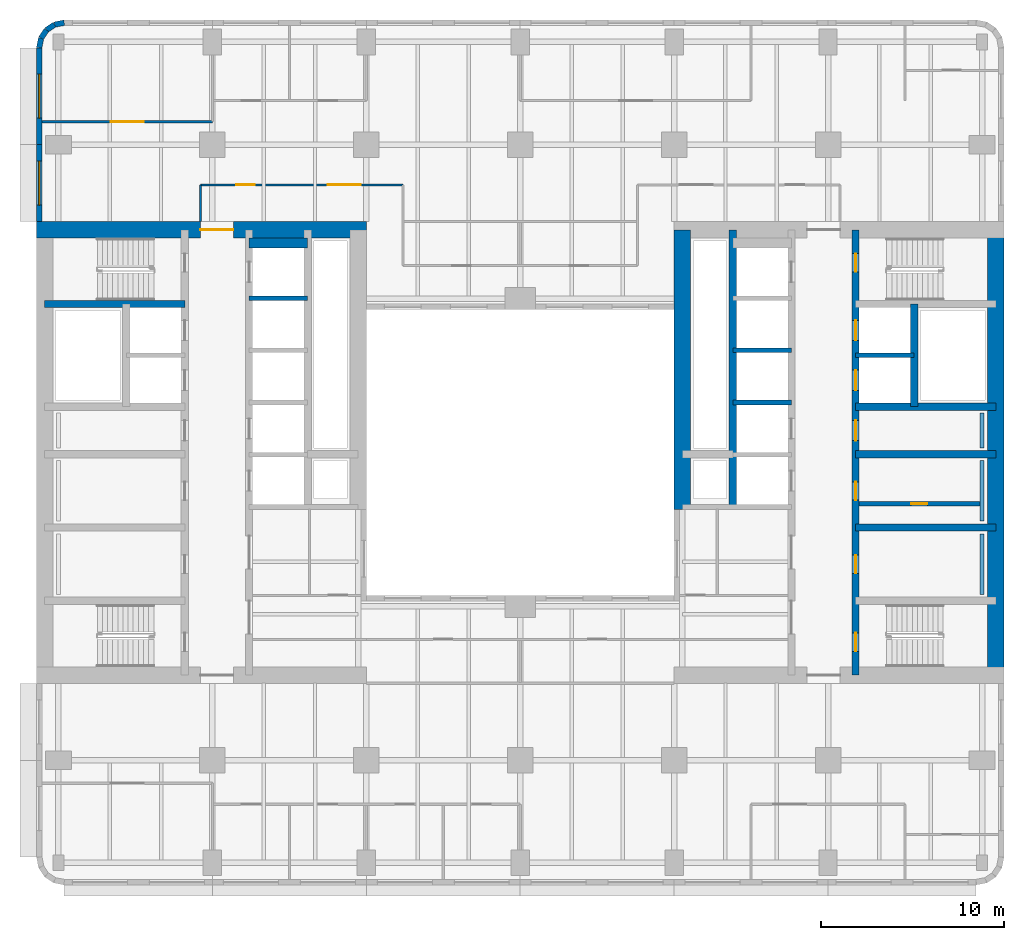
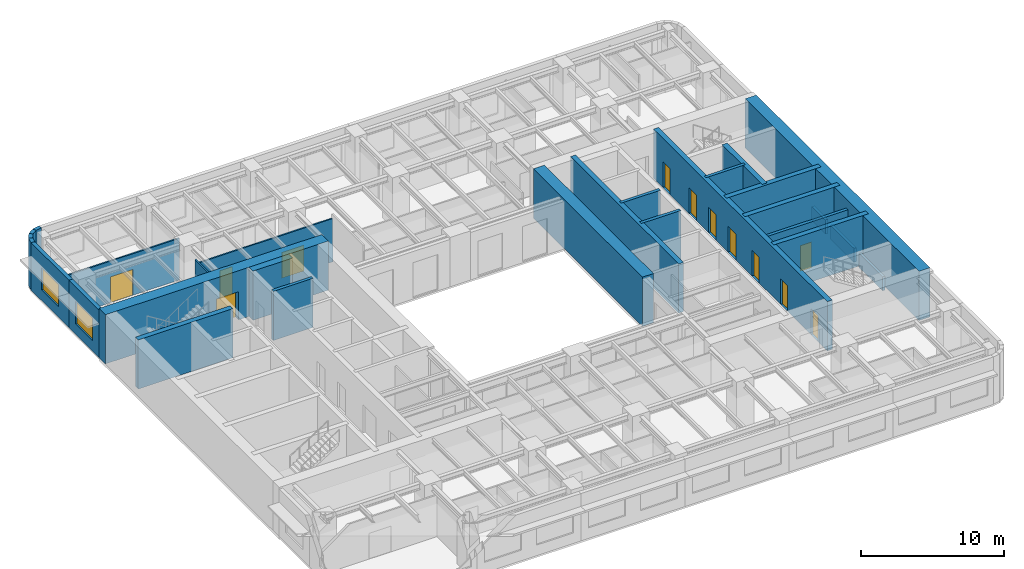
# One storey, part 6 of 11: 28 walls, 12 doors, 2 windows, 14 openings.
"""IFC4 building model written with IfcOpenShell, lengths in metres."""

from ifc_helpers import new_model, si_unit, direction, frame, frame_2d, origin, place, context, subcontext, project, spatial, rectangle, extrude, material, layer, layer_set, type_object, element, fill, save


model = new_model("IFC4")

# Units and contexts
model_context = context("Model", 3, precision=1e-05, world=origin(), true_north=direction((0.0, 1.0)))
body_context = subcontext(model_context, "Body", "Model", "MODEL_VIEW")
ifc_project = project(units=[si_unit("LENGTHUNIT", "METRE"), si_unit("AREAUNIT", "SQUARE_METRE"), si_unit("VOLUMEUNIT", "CUBIC_METRE"), si_unit("PLANEANGLEUNIT", "RADIAN"), si_unit("MASSUNIT", "GRAM", prefix="KILO")], contexts=[model_context])

# Site, building, storey
site_placement = place(None, origin())
site = spatial("IfcSite", under=ifc_project, at=site_placement, CompositionType="ELEMENT")
building_placement = place(site_placement, origin())
building = spatial("IfcBuilding", under=site, at=building_placement, Name="Claustro Exchange Tower", CompositionType="ELEMENT")
storey_placement = place(building_placement, frame((0.0, 0.0, 117.60009765625)))
storey = spatial("IfcBuildingStorey", under=building, at=storey_placement, Name="L26", CompositionType="ELEMENT", Elevation=117.60009765625)

# Wall, opening, door
ifc_material_1 = material(Name="Laminated glass in aluminium frame", Category="aluminium")
ifc_layer_1 = layer(ifc_material_1, 0.1201171875)
ifc_layer_set_1 = layer_set([ifc_layer_1], Name="Laminated glass in aluminium frame")
wall_type_1 = type_object("IfcWallType", Name="P2 120 glazed partition", PredefinedType="PARTITIONING", material=ifc_layer_set_1)
wall_1_placement = place(storey_placement, frame((-0.902099609375, 43.25, 0.0), z_axis=(0.0, 0.0, 1.0), x_axis=(1.0, 0.0, 0.0)))
wall_1 = element("IfcWall", 1, at=wall_1_placement, inside=storey, type_object=wall_type_1, Name="Partition P2 L26", PredefinedType="PARTITIONING", context=body_context, shape_type="SweptSolid", body=[
    extrude(rectangle(XDim=9.302001953125, YDim=0.1201171875, at=frame_2d((4.65087890625, 0.0))), origin(), (0.0, 0.0, 1.0), 3.5498046875),
])
opening_1_placement = place(wall_1_placement, frame((3.751953125, 0.0, 0.0)))
opening_1 = element("IfcOpeningElement", 2, at=opening_1_placement, cuts=wall_1, Name="Opening D2", PredefinedType="OPENING", context=body_context, shape_type="SweptSolid", body=[
    extrude(rectangle(XDim=1.800048828125, YDim=2.199951171875, at=frame_2d((0.89990234375, 1.10009765625))), frame((0.0, 0.070068359375, 0.0), z_axis=(0.0, -1.0, 0.0), x_axis=(1.0, 0.0, 0.0)), (0.0, 0.0, 1.0), 0.14013671875),
])
ifc_material_2 = material(Name="Timber door, oak veneer", Category="wood")
door_type_1 = type_object("IfcDoorType", Name="D2 1800 x 2200 double door", OperationType="DOUBLE_DOOR_SINGLE_SWING", PredefinedType="DOOR", material=ifc_material_2)
door_1_placement = place(opening_1_placement, origin())
door_1 = element("IfcDoor", 3, at=door_1_placement, inside=storey, type_object=door_type_1, Name="Double door D2 L26", OperationType="DOUBLE_DOOR_SINGLE_SWING", OverallHeight=2.199951171875, OverallWidth=1.800048828125, PredefinedType="DOOR", context=body_context, shape_type="SweptSolid", body=[
    extrude(rectangle(XDim=1.800048828125, YDim=2.199951171875, at=frame_2d((0.89990234375, 1.10009765625))), frame((0.0, 0.02490234375, 0.0), z_axis=(0.0, -1.0, 0.0), x_axis=(1.0, 0.0, 0.0)), (0.0, 0.0, 1.0), 0.050048828125),
])
fill(opening_1, door_1)

# Wall, openings, doors
wall_2_placement = place(storey_placement, frame((7.75, 39.800048828125, 0.0), z_axis=(0.0, 0.0, 1.0), x_axis=(1.0, 0.0, 0.0)))
wall_2 = element("IfcWall", 4, at=wall_2_placement, inside=storey, type_object=wall_type_1, Name="Partition P2 L26", PredefinedType="PARTITIONING", context=body_context, shape_type="SweptSolid", body=[
    extrude(rectangle(XDim=11.050048828125, YDim=0.1201171875, at=frame_2d((5.52490234375, 0.0))), origin(), (0.0, 0.0, 1.0), 3.68994140625),
])
opening_2_placement = place(wall_2_placement, frame((1.949951171875, 0.0, 0.0)))
opening_2 = element("IfcOpeningElement", 5, at=opening_2_placement, cuts=wall_2, Name="Opening D7", PredefinedType="OPENING", context=body_context, shape_type="SweptSolid", body=[
    extrude(rectangle(XDim=1.0, YDim=2.39990234375, at=frame_2d((0.5, 1.199951171875))), frame((0.0, 0.070068359375, 0.0), z_axis=(0.0, -1.0, 0.0), x_axis=(1.0, 0.0, 0.0)), (0.0, 0.0, 1.0), 0.14013671875),
])
opening_3_placement = place(wall_2_placement, frame((6.949951171875, 0.0, 0.0)))
opening_3 = element("IfcOpeningElement", 6, at=opening_3_placement, cuts=wall_2, Name="Opening D2", PredefinedType="OPENING", context=body_context, shape_type="SweptSolid", body=[
    extrude(rectangle(XDim=1.800048828125, YDim=2.199951171875, at=frame_2d((0.89990234375, 1.10009765625))), frame((0.0, 0.070068359375, 0.0), z_axis=(0.0, -1.0, 0.0), x_axis=(1.0, 0.0, 0.0)), (0.0, 0.0, 1.0), 0.14013671875),
])
door_2_placement = place(opening_3_placement, origin())
door_2 = element("IfcDoor", 7, at=door_2_placement, inside=storey, type_object=door_type_1, Name="Double door D2 L26", OperationType="DOUBLE_DOOR_SINGLE_SWING", OverallHeight=2.199951171875, OverallWidth=1.800048828125, PredefinedType="DOOR", context=body_context, shape_type="SweptSolid", body=[
    extrude(rectangle(XDim=1.800048828125, YDim=2.199951171875, at=frame_2d((0.89990234375, 1.10009765625))), frame((0.0, 0.02490234375, 0.0), z_axis=(0.0, -1.0, 0.0), x_axis=(1.0, 0.0, 0.0)), (0.0, 0.0, 1.0), 0.050048828125),
])
fill(opening_3, door_2)
ifc_material_3 = material(Name="Glass door in aluminium frame", Category="aluminium")
door_type_2 = type_object("IfcDoorType", Name="D7 1000 x 2400 glazed door", OperationType="SINGLE_SWING_LEFT", PredefinedType="DOOR", material=ifc_material_3)
door_3_placement = place(opening_2_placement, origin())
door_3 = element("IfcDoor", 8, at=door_3_placement, inside=storey, type_object=door_type_2, Name="Door D7 L26", OperationType="SINGLE_SWING_LEFT", OverallHeight=2.39990234375, OverallWidth=1.0, PredefinedType="DOOR", context=body_context, shape_type="SweptSolid", body=[
    extrude(rectangle(XDim=1.0, YDim=2.39990234375, at=frame_2d((0.5, 1.199951171875))), frame((0.0, 0.02490234375, 0.0), z_axis=(0.0, -1.0, 0.0), x_axis=(1.0, 0.0, 0.0)), (0.0, 0.0, 1.0), 0.050048828125),
])
fill(opening_2, door_3)

# Wall
wall_3_placement = place(storey_placement, frame((7.75, 37.800048828125, 0.0), z_axis=(0.0, 0.0, 1.0), x_axis=(0.0, 1.0, 0.0)))
element("IfcWall", 9, at=wall_3_placement, inside=storey, type_object=wall_type_1, Name="Partition P2 L26", PredefinedType="PARTITIONING", context=body_context, shape_type="SweptSolid", body=[
    extrude(rectangle(XDim=2.0, YDim=0.1201171875, at=frame_2d((1.0, 0.0))), origin(), (0.0, 0.0, 1.0), 4.0498046875),
])

# Wall, opening, door
ifc_material_4 = material(Name="Concrete blockwork, rendered", Category="masonry")
ifc_layer_2 = layer(ifc_material_4, 0.25)
ifc_layer_set_2 = layer_set([ifc_layer_2], Name="Concrete blockwork, rendered")
wall_type_2 = type_object("IfcWallType", Name="P4 250 blockwork wall", PredefinedType="PARTITIONING", material=ifc_layer_set_2)
wall_4_placement = place(storey_placement, frame((43.699951171875, 22.39990234375, 0.0), z_axis=(0.0, 0.0, 1.0), x_axis=(1.0, 0.0, 0.0)))
wall_4 = element("IfcWall", 10, at=wall_4_placement, inside=storey, type_object=wall_type_2, Name="Partition P4 L26", PredefinedType="PARTITIONING", context=body_context, shape_type="SweptSolid", body=[
    extrude(rectangle(XDim=6.60009765625, YDim=0.25, at=frame_2d((3.300048828125, 0.0))), origin(), (0.0, 0.0, 1.0), 4.0),
])
opening_4_placement = place(wall_4_placement, frame((2.824951171875, 0.0, 0.0)))
opening_4 = element("IfcOpeningElement", 11, at=opening_4_placement, cuts=wall_4, Name="Opening D5", PredefinedType="OPENING", context=body_context, shape_type="SweptSolid", body=[
    extrude(rectangle(XDim=0.89990234375, YDim=2.199951171875, at=frame_2d((0.449951171875, 1.10009765625))), frame((0.0, 0.135009765625, 0.0), z_axis=(0.0, -1.0, 0.0), x_axis=(1.0, 0.0, 0.0)), (0.0, 0.0, 1.0), 0.27001953125),
])
ifc_material_5 = material(Name="Steel door, painted", Category="steel")
door_type_3 = type_object("IfcDoorType", Name="D5 900 x 2200 store door", OperationType="SINGLE_SWING_LEFT", PredefinedType="DOOR", material=ifc_material_5)
door_4_placement = place(opening_4_placement, frame((0.89990234375, 0.0, 0.0), z_axis=(0.0, 0.0, 1.0), x_axis=(-1.0, 0.0, 0.0)))
door_4 = element("IfcDoor", 12, at=door_4_placement, inside=storey, type_object=door_type_3, Name="Store door D5 L26", OperationType="SINGLE_SWING_LEFT", OverallHeight=2.199951171875, OverallWidth=0.89990234375, PredefinedType="DOOR", context=body_context, shape_type="SweptSolid", body=[
    extrude(rectangle(XDim=0.89990234375, YDim=2.199951171875, at=frame_2d((0.449951171875, 1.10009765625))), frame((0.0, 0.02490234375, 0.0), z_axis=(0.0, -1.0, 0.0), x_axis=(1.0, 0.0, 0.0)), (0.0, 0.0, 1.0), 0.050048828125),
])
fill(opening_4, door_4)

# Wall, opening, window
ifc_material_6 = material(Name="Concrete HA-40 (C40/50), precast, white cement, acid-etched", Category="concrete")
ifc_layer_3 = layer(ifc_material_6, 0.300048828125)
ifc_layer_set_3 = layer_set([ifc_layer_3], Name="Concrete HA-40 (C40/50), precast, white cement, acid-etched")
wall_type_3 = type_object("IfcWallType", Name="PC1 300 precast concrete pier panel", PredefinedType="SOLIDWALL", material=ifc_layer_set_3)
wall_5_placement = place(storey_placement, frame((-1.050048828125, 37.800048828125, 0.0), z_axis=(0.0, 0.0, 1.0), x_axis=(0.0, 1.0, 0.0)))
wall_5 = element("IfcWall", 13, at=wall_5_placement, inside=storey, type_object=wall_type_3, Name="Precast pier panel PC1 L26", PredefinedType="SOLIDWALL", context=body_context, shape_type="SweptSolid", body=[
    extrude(rectangle(XDim=4.199951171875, YDim=0.300048828125, at=frame_2d((2.10009765625, 0.0))), origin(), (0.0, 0.0, 1.0), 4.0498046875),
])
opening_5_placement = place(wall_5_placement, frame((0.89990234375, 0.0, 0.89990234375)))
opening_5 = element("IfcOpeningElement", 14, at=opening_5_placement, cuts=wall_5, Name="Opening W2", PredefinedType="OPENING", context=body_context, shape_type="SweptSolid", body=[
    extrude(rectangle(XDim=2.39990234375, YDim=1.89990234375, at=frame_2d((1.199951171875, 0.949951171875))), frame((0.0, 0.159912109375, 0.0), z_axis=(0.0, -1.0, 0.0), x_axis=(1.0, 0.0, 0.0)), (0.0, 0.0, 1.0), 0.320068359375),
])
ifc_material_7 = material(Name="Aluminium frame, clear double glazing", Category="aluminium")
window_type = type_object("IfcWindowType", Name="W2 2400 x 1900 window", PartitioningType="SINGLE_PANEL", PredefinedType="WINDOW", material=ifc_material_7)
window_1_placement = place(opening_5_placement, origin())
window_1 = element("IfcWindow", 15, at=window_1_placement, inside=storey, type_object=window_type, Name="Window W2 L26", OverallHeight=1.89990234375, OverallWidth=2.39990234375, PartitioningType="SINGLE_PANEL", PredefinedType="WINDOW", context=body_context, shape_type="SweptSolid", body=[
    extrude(rectangle(XDim=2.39990234375, YDim=1.89990234375, at=frame_2d((1.199951171875, 0.949951171875))), frame((0.0, 0.030029296875, 0.0), z_axis=(0.0, -1.0, 0.0), x_axis=(1.0, 0.0, 0.0)), (0.0, 0.0, 1.0), 0.06005859375),
])
fill(opening_5, window_1)

wall_6_placement = place(storey_placement, frame((-1.050048828125, 42.0, 0.0), z_axis=(0.0, 0.0, 1.0), x_axis=(0.0, 1.0, 0.0)))
wall_6 = element("IfcWall", 16, at=wall_6_placement, inside=storey, type_object=wall_type_3, Name="Precast pier panel PC1 L26", PredefinedType="SOLIDWALL", context=body_context, shape_type="SweptSolid", body=[
    extrude(rectangle(XDim=5.28515625, YDim=0.300048828125, at=frame_2d((2.642578125, 0.0))), origin(), (0.0, 0.0, 1.0), 4.0498046875),
])
opening_6_placement = place(wall_6_placement, frame((1.442626953125, 0.0, 0.89990234375)))
opening_6 = element("IfcOpeningElement", 17, at=opening_6_placement, cuts=wall_6, Name="Opening W2", PredefinedType="OPENING", context=body_context, shape_type="SweptSolid", body=[
    extrude(rectangle(XDim=2.39990234375, YDim=1.89990234375, at=frame_2d((1.199951171875, 0.949951171875))), frame((0.0, 0.159912109375, 0.0), z_axis=(0.0, -1.0, 0.0), x_axis=(1.0, 0.0, 0.0)), (0.0, 0.0, 1.0), 0.320068359375),
])
window_2_placement = place(opening_6_placement, origin())
window_2 = element("IfcWindow", 18, at=window_2_placement, inside=storey, type_object=window_type, Name="Window W2 L26", OverallHeight=1.89990234375, OverallWidth=2.39990234375, PartitioningType="SINGLE_PANEL", PredefinedType="WINDOW", context=body_context, shape_type="SweptSolid", body=[
    extrude(rectangle(XDim=2.39990234375, YDim=1.89990234375, at=frame_2d((1.199951171875, 0.949951171875))), frame((0.0, 0.030029296875, 0.0), z_axis=(0.0, -1.0, 0.0), x_axis=(1.0, 0.0, 0.0)), (0.0, 0.0, 1.0), 0.06005859375),
])
fill(opening_6, window_2)

# Walls
wall_7_placement = place(storey_placement, frame((-1.050048828125, 47.28515625, 0.0), z_axis=(0.0, 0.0, 1.0), x_axis=(0.195073962632, 0.980788534345, 0.0)))
element("IfcWall", 19, at=wall_7_placement, inside=storey, type_object=wall_type_3, Name="Precast pier panel PC1 L26", PredefinedType="SOLIDWALL", context=body_context, shape_type="SweptSolid", body=[
    extrude(rectangle(XDim=0.540771484375, YDim=0.300048828125, at=frame_2d((0.2705078125, 0.0))), origin(), (0.0, 0.0, 1.0), 4.0498046875),
])
wall_8_placement = place(storey_placement, frame((-0.944580078125, 47.8154296875, 0.0), z_axis=(0.0, 0.0, 1.0), x_axis=(0.55534295404, 0.831621430339, 0.0)))
element("IfcWall", 20, at=wall_8_placement, inside=storey, type_object=wall_type_3, Name="Precast pier panel PC1 L26", PredefinedType="SOLIDWALL", context=body_context, shape_type="SweptSolid", body=[
    extrude(rectangle(XDim=0.52587890625, YDim=0.300048828125, at=frame_2d((0.262939453125, 0.0))), origin(), (0.0, 0.0, 1.0), 4.0498046875),
])
wall_9_placement = place(storey_placement, frame((-0.652587890625, 48.252685546875, 0.0), z_axis=(0.0, 0.0, 1.0), x_axis=(0.831692711774, 0.555236195849, 0.0)))
element("IfcWall", 21, at=wall_9_placement, inside=storey, type_object=wall_type_3, Name="Precast pier panel PC1 L26", PredefinedType="SOLIDWALL", context=body_context, shape_type="SweptSolid", body=[
    extrude(rectangle(XDim=0.525390625, YDim=0.300048828125, at=frame_2d((0.2626953125, 0.0))), origin(), (0.0, 0.0, 1.0), 4.0498046875),
])
wall_10_placement = place(storey_placement, frame((-0.215576171875, 48.54443359375, 0.0), z_axis=(0.0, 0.0, 1.0), x_axis=(0.980788534345, 0.195073962632, 0.0)))
element("IfcWall", 22, at=wall_10_placement, inside=storey, type_object=wall_type_3, Name="Precast pier panel PC1 L26", PredefinedType="SOLIDWALL", context=body_context, shape_type="SweptSolid", body=[
    extrude(rectangle(XDim=0.540771484375, YDim=0.300048828125, at=frame_2d((0.2705078125, 0.0))), origin(), (0.0, 0.0, 1.0), 4.0498046875),
])
ifc_material_8 = material(Name="Gypsum board on steel studs, tiled", Category="steel")
ifc_layer_4 = layer(ifc_material_8, 0.199951171875)
ifc_layer_set_4 = layer_set([ifc_layer_4], Name="Gypsum board on steel studs, tiled")
wall_type_4 = type_object("IfcWallType", Name="PW1 200 WC duct wall", PredefinedType="PLUMBINGWALL", material=ifc_layer_set_4)
for number, where, z_axis, x_axis, name in (
    (23, (50.39990234375, 17.449951171875, 0.0), (0.0, 0.0, 1.0), (0.0, 1.0, 0.0), "WC duct wall PW1 L26"),
    (24, (50.39990234375, 21.449951171875, 0.0), (0.0, 0.0, 1.0), (0.0, 1.0, 0.0), "WC duct wall PW1 L26"),
):
    element("IfcWall", number, at=place(storey_placement, frame(where, z_axis=z_axis, x_axis=x_axis)), inside=storey, type_object=wall_type_4, Name=name, PredefinedType="PLUMBINGWALL", context=body_context, shape_type="SweptSolid", body=[
        extrude(rectangle(XDim=3.300048828125, YDim=0.199951171875, at=frame_2d((1.64990234375, 0.0))), origin(), (0.0, 0.0, 1.0), 1.199951171875),
    ])
wall_11_placement = place(storey_placement, frame((50.39990234375, 25.449951171875, 0.0), z_axis=(0.0, 0.0, 1.0), x_axis=(0.0, 1.0, 0.0)))
element("IfcWall", 25, at=wall_11_placement, inside=storey, type_object=wall_type_4, Name="WC duct wall PW1 L26", PredefinedType="PLUMBINGWALL", context=body_context, shape_type="SweptSolid", body=[
    extrude(rectangle(XDim=1.900146484375, YDim=0.199951171875, at=frame_2d((0.9501953125, 0.0))), origin(), (0.0, 0.0, 1.0), 1.199951171875),
])

# Wall, opening, door
ifc_material_9 = material(Name="Concrete HA-70 (C70/85)", Category="concrete")
ifc_layer_5 = layer(ifc_material_9, 0.89990234375)
ifc_layer_set_5 = layer_set([ifc_layer_5], Name="Concrete HA-70 (C70/85)")
wall_type_5 = type_object("IfcWallType", Name="SW1 900 core shear wall", PredefinedType="SHEAR", material=ifc_layer_set_5)
wall_12_placement = place(storey_placement, frame((-1.199951171875, 37.35009765625, 0.0), z_axis=(0.0, 0.0, 1.0), x_axis=(1.0, 0.0, 0.0)))
wall_12 = element("IfcWall", 26, at=wall_12_placement, inside=storey, type_object=wall_type_5, Name="Core wall SW1 W core N face L26", PredefinedType="SHEAR", context=body_context, shape_type="SweptSolid", body=[
    extrude(rectangle(XDim=18.0, YDim=0.89990234375, at=frame_2d((9.0, 0.0))), origin(), (0.0, 0.0, 1.0), 4.199951171875),
])
opening_7_placement = place(wall_12_placement, frame((8.949951171875, 0.0, 0.0)))
opening_7 = element("IfcOpeningElement", 27, at=opening_7_placement, cuts=wall_12, Name="Opening D3", PredefinedType="OPENING", context=body_context, shape_type="SweptSolid", body=[
    extrude(rectangle(XDim=1.800048828125, YDim=2.39990234375, at=frame_2d((0.89990234375, 1.199951171875))), frame((0.0, 0.4599609375, 0.0), z_axis=(0.0, -1.0, 0.0), x_axis=(1.0, 0.0, 0.0)), (0.0, 0.0, 1.0), 0.919921875),
])
ifc_material_10 = material(Name="Steel fire door, painted", Category="steel")
door_type_4 = type_object("IfcDoorType", Name="D3 1800 x 2400 fire-rated lobby double door", OperationType="DOUBLE_DOOR_SINGLE_SWING", PredefinedType="DOOR", material=ifc_material_10)
door_5_placement = place(opening_7_placement, frame((1.800048828125, 0.0, 0.0), z_axis=(0.0, 0.0, 1.0), x_axis=(-1.0, 0.0, 0.0)))
door_5 = element("IfcDoor", 28, at=door_5_placement, inside=storey, type_object=door_type_4, Name="Lift lobby door D3 L26", OperationType="DOUBLE_DOOR_SINGLE_SWING", OverallHeight=2.39990234375, OverallWidth=1.800048828125, PredefinedType="DOOR", context=body_context, shape_type="SweptSolid", body=[
    extrude(rectangle(XDim=1.800048828125, YDim=2.39990234375, at=frame_2d((0.89990234375, 1.199951171875))), frame((0.0, 0.02490234375, 0.0), z_axis=(0.0, -1.0, 0.0), x_axis=(1.0, 0.0, 0.0)), (0.0, 0.0, 1.0), 0.050048828125),
])
fill(opening_7, door_5)

# Walls
ifc_material_11 = material(Name="Concrete HA-70 (C70/85)", Category="concrete")
ifc_layer_6 = layer(ifc_material_11, 0.89990234375)
ifc_layer_set_6 = layer_set([ifc_layer_6], Name="Concrete HA-70 (C70/85)")
wall_type_6 = type_object("IfcWallType", Name="SW1X 900 exposed core shear wall, board-marked face", PredefinedType="SHEAR", material=ifc_layer_set_6)
wall_13_placement = place(storey_placement, frame((34.050048828125, 22.10009765625, 0.0), z_axis=(0.0, 0.0, 1.0), x_axis=(0.0, 1.0, 0.0)))
element("IfcWall", 29, at=wall_13_placement, inside=storey, type_object=wall_type_6, Name="Core wall SW1X E core W face L26", PredefinedType="SHEAR", context=body_context, shape_type="SweptSolid", body=[
    extrude(rectangle(XDim=15.25, YDim=0.89990234375, at=frame_2d((7.625, 0.0))), origin(), (0.0, 0.0, 1.0), 4.199951171875),
])
wall_14_placement = place(storey_placement, frame((51.14990234375, 13.050048828125, 0.0), z_axis=(0.0, 0.0, 1.0), x_axis=(0.0, 1.0, 0.0)))
element("IfcWall", 30, at=wall_14_placement, inside=storey, type_object=wall_type_6, Name="Core wall SW1X E core E face L26", PredefinedType="SHEAR", context=body_context, shape_type="SweptSolid", body=[
    extrude(rectangle(XDim=24.300048828125, YDim=0.89990234375, at=frame_2d((12.14990234375, 0.0))), origin(), (0.0, 0.0, 1.0), 4.199951171875),
])
ifc_material_12 = material(Name="Concrete HA-50 (C50/60)", Category="concrete")
ifc_layer_7 = layer(ifc_material_12, 0.39990234375)
ifc_layer_set_7 = layer_set([ifc_layer_7], Name="Concrete HA-50 (C50/60)")
wall_type_7 = type_object("IfcWallType", Name="SW4 400 internal core wall", PredefinedType="SHEAR", material=ifc_layer_set_7)
wall_15_placement = place(storey_placement, frame((-0.75, 33.300048828125, 0.0), z_axis=(0.0, 0.0, 1.0), x_axis=(1.0, 0.0, 0.0)))
element("IfcWall", 31, at=wall_15_placement, inside=storey, type_object=wall_type_7, Name="Internal core wall SW4 W core L26", PredefinedType="SHEAR", context=body_context, shape_type="SweptSolid", body=[
    extrude(rectangle(XDim=7.64990234375, YDim=0.39990234375, at=frame_2d((3.824951171875, 0.0))), origin(), (0.0, 0.0, 1.0), 4.199951171875),
])

# Wall, openings, doors
wall_16_placement = place(storey_placement, frame((43.5, 13.050048828125, 0.0), z_axis=(0.0, 0.0, 1.0), x_axis=(0.0, 1.0, 0.0)))
wall_16 = element("IfcWall", 32, at=wall_16_placement, inside=storey, type_object=wall_type_7, Name="Internal core wall SW4 E core L26", PredefinedType="SHEAR", context=body_context, shape_type="SweptSolid", body=[
    extrude(rectangle(XDim=24.300048828125, YDim=0.39990234375, at=frame_2d((12.14990234375, 0.0))), origin(), (0.0, 0.0, 1.0), 4.199951171875),
])
opening_8_placement = place(wall_16_placement, frame((1.300048828125, 0.0, 0.0)))
opening_8 = element("IfcOpeningElement", 33, at=opening_8_placement, cuts=wall_16, Name="Opening D4", PredefinedType="OPENING", context=body_context, shape_type="SweptSolid", body=[
    extrude(rectangle(XDim=1.0, YDim=2.199951171875, at=frame_2d((0.5, 1.10009765625))), frame((0.0, 0.2099609375, 0.0), z_axis=(0.0, -1.0, 0.0), x_axis=(1.0, 0.0, 0.0)), (0.0, 0.0, 1.0), 0.419921875),
])
opening_9_placement = place(wall_16_placement, frame((22.0, 0.0, 0.0)))
opening_9 = element("IfcOpeningElement", 34, at=opening_9_placement, cuts=wall_16, Name="Opening D4", PredefinedType="OPENING", context=body_context, shape_type="SweptSolid", body=[
    extrude(rectangle(XDim=1.0, YDim=2.199951171875, at=frame_2d((0.5, 1.10009765625))), frame((0.0, 0.2099609375, 0.0), z_axis=(0.0, -1.0, 0.0), x_axis=(1.0, 0.0, 0.0)), (0.0, 0.0, 1.0), 0.419921875),
])
opening_10_placement = place(wall_16_placement, frame((5.550048828125, 0.0, 0.0)))
opening_10 = element("IfcOpeningElement", 35, at=opening_10_placement, cuts=wall_16, Name="Opening D1", PredefinedType="OPENING", context=body_context, shape_type="SweptSolid", body=[
    extrude(rectangle(XDim=1.0, YDim=2.199951171875, at=frame_2d((0.5, 1.10009765625))), frame((0.0, 0.2099609375, 0.0), z_axis=(0.0, -1.0, 0.0), x_axis=(1.0, 0.0, 0.0)), (0.0, 0.0, 1.0), 0.419921875),
])
opening_11_placement = place(wall_16_placement, frame((9.550048828125, 0.0, 0.0)))
opening_11 = element("IfcOpeningElement", 36, at=opening_11_placement, cuts=wall_16, Name="Opening D1", PredefinedType="OPENING", context=body_context, shape_type="SweptSolid", body=[
    extrude(rectangle(XDim=1.0, YDim=2.199951171875, at=frame_2d((0.5, 1.10009765625))), frame((0.0, 0.2099609375, 0.0), z_axis=(0.0, -1.0, 0.0), x_axis=(1.0, 0.0, 0.0)), (0.0, 0.0, 1.0), 0.419921875),
])
opening_12_placement = place(wall_16_placement, frame((12.800048828125, 0.0, 0.0)))
opening_12 = element("IfcOpeningElement", 37, at=opening_12_placement, cuts=wall_16, Name="Opening D10", PredefinedType="OPENING", context=body_context, shape_type="SweptSolid", body=[
    extrude(rectangle(XDim=1.10009765625, YDim=2.199951171875, at=frame_2d((0.550048828125, 1.10009765625))), frame((0.0, 0.2099609375, 0.0), z_axis=(0.0, -1.0, 0.0), x_axis=(1.0, 0.0, 0.0)), (0.0, 0.0, 1.0), 0.419921875),
])
opening_13_placement = place(wall_16_placement, frame((15.53759765625, 0.0, 0.0)))
opening_13 = element("IfcOpeningElement", 38, at=opening_13_placement, cuts=wall_16, Name="Opening LD", PredefinedType="OPENING", context=body_context, shape_type="SweptSolid", body=[
    extrude(rectangle(XDim=1.10009765625, YDim=2.199951171875, at=frame_2d((0.550048828125, 1.10009765625))), frame((0.0, 0.2099609375, 0.0), z_axis=(0.0, -1.0, 0.0), x_axis=(1.0, 0.0, 0.0)), (0.0, 0.0, 1.0), 0.419921875),
])
opening_14_placement = place(wall_16_placement, frame((18.262451171875, 0.0, 0.0)))
opening_14 = element("IfcOpeningElement", 39, at=opening_14_placement, cuts=wall_16, Name="Opening LD", PredefinedType="OPENING", context=body_context, shape_type="SweptSolid", body=[
    extrude(rectangle(XDim=1.10009765625, YDim=2.199951171875, at=frame_2d((0.550048828125, 1.10009765625))), frame((0.0, 0.2099609375, 0.0), z_axis=(0.0, -1.0, 0.0), x_axis=(1.0, 0.0, 0.0)), (0.0, 0.0, 1.0), 0.419921875),
])
ifc_material_13 = material(Name="Timber door, oak veneer", Category="wood")
door_type_5 = type_object("IfcDoorType", Name="D1 1000 x 2200 single door", OperationType="SINGLE_SWING_LEFT", PredefinedType="DOOR", material=ifc_material_13)
door_6_placement = place(opening_10_placement, frame((1.0, 0.0, 0.0), z_axis=(0.0, 0.0, 1.0), x_axis=(-1.0, 0.0, 0.0)))
door_6 = element("IfcDoor", 40, at=door_6_placement, inside=storey, type_object=door_type_5, Name="Door D1 L26", OperationType="SINGLE_SWING_LEFT", OverallHeight=2.199951171875, OverallWidth=1.0, PredefinedType="DOOR", context=body_context, shape_type="SweptSolid", body=[
    extrude(rectangle(XDim=1.0, YDim=2.199951171875, at=frame_2d((0.5, 1.10009765625))), frame((0.0, 0.02490234375, 0.0), z_axis=(0.0, -1.0, 0.0), x_axis=(1.0, 0.0, 0.0)), (0.0, 0.0, 1.0), 0.050048828125),
])
fill(opening_10, door_6)
door_7_placement = place(opening_11_placement, frame((1.0, 0.0, 0.0), z_axis=(0.0, 0.0, 1.0), x_axis=(-1.0, 0.0, 0.0)))
door_7 = element("IfcDoor", 41, at=door_7_placement, inside=storey, type_object=door_type_5, Name="Door D1 L26", OperationType="SINGLE_SWING_RIGHT", OverallHeight=2.199951171875, OverallWidth=1.0, PredefinedType="DOOR", context=body_context, shape_type="SweptSolid", body=[
    extrude(rectangle(XDim=1.0, YDim=2.199951171875, at=frame_2d((0.5, 1.10009765625))), frame((0.0, 0.02490234375, 0.0), z_axis=(0.0, -1.0, 0.0), x_axis=(1.0, 0.0, 0.0)), (0.0, 0.0, 1.0), 0.050048828125),
])
fill(opening_11, door_7)
ifc_material_14 = material(Name="Timber door, oak veneer", Category="wood")
door_type_6 = type_object("IfcDoorType", Name="D10 1100 x 2200 accessible WC door", OperationType="SINGLE_SWING_LEFT", PredefinedType="DOOR", material=ifc_material_14)
door_8_placement = place(opening_12_placement, origin())
door_8 = element("IfcDoor", 42, at=door_8_placement, inside=storey, type_object=door_type_6, Name="Accessible WC door D10 L26", OperationType="SINGLE_SWING_RIGHT", OverallHeight=2.199951171875, OverallWidth=1.10009765625, PredefinedType="DOOR", context=body_context, shape_type="SweptSolid", body=[
    extrude(rectangle(XDim=1.10009765625, YDim=2.199951171875, at=frame_2d((0.550048828125, 1.10009765625))), frame((0.0, 0.02490234375, 0.0), z_axis=(0.0, -1.0, 0.0), x_axis=(1.0, 0.0, 0.0)), (0.0, 0.0, 1.0), 0.050048828125),
])
fill(opening_12, door_8)
ifc_material_15 = material(Name="Steel fire door, painted", Category="steel")
door_type_7 = type_object("IfcDoorType", Name="D4 1000 x 2200 fire-rated stair door", OperationType="SINGLE_SWING_LEFT", PredefinedType="DOOR", material=ifc_material_15)
door_9_placement = place(opening_8_placement, frame((1.0, 0.0, 0.0), z_axis=(0.0, 0.0, 1.0), x_axis=(-1.0, 0.0, 0.0)))
door_9 = element("IfcDoor", 43, at=door_9_placement, inside=storey, type_object=door_type_7, Name="Stair door D4 L26", OperationType="SINGLE_SWING_RIGHT", OverallHeight=2.199951171875, OverallWidth=1.0, PredefinedType="DOOR", context=body_context, shape_type="SweptSolid", body=[
    extrude(rectangle(XDim=1.0, YDim=2.199951171875, at=frame_2d((0.5, 1.10009765625))), frame((0.0, 0.02490234375, 0.0), z_axis=(0.0, -1.0, 0.0), x_axis=(1.0, 0.0, 0.0)), (0.0, 0.0, 1.0), 0.050048828125),
])
fill(opening_8, door_9)
door_10_placement = place(opening_9_placement, frame((1.0, 0.0, 0.0), z_axis=(0.0, 0.0, 1.0), x_axis=(-1.0, 0.0, 0.0)))
door_10 = element("IfcDoor", 44, at=door_10_placement, inside=storey, type_object=door_type_7, Name="Stair door D4 L26", OperationType="SINGLE_SWING_LEFT", OverallHeight=2.199951171875, OverallWidth=1.0, PredefinedType="DOOR", context=body_context, shape_type="SweptSolid", body=[
    extrude(rectangle(XDim=1.0, YDim=2.199951171875, at=frame_2d((0.5, 1.10009765625))), frame((0.0, 0.02490234375, 0.0), z_axis=(0.0, -1.0, 0.0), x_axis=(1.0, 0.0, 0.0)), (0.0, 0.0, 1.0), 0.050048828125),
])
fill(opening_9, door_10)
ifc_material_16 = material(Name="Stainless steel sliding door", Category="steel")
door_type_8 = type_object("IfcDoorType", Name="LD 1100 x 2200 lift landing door", OperationType="DOUBLE_DOOR_SLIDING", PredefinedType="DOOR", material=ifc_material_16)
door_11_placement = place(opening_13_placement, origin())
door_11 = element("IfcDoor", 45, at=door_11_placement, inside=storey, type_object=door_type_8, Name="Lift landing door LEE1 LD L26", OperationType="DOUBLE_DOOR_SLIDING", OverallHeight=2.199951171875, OverallWidth=1.10009765625, PredefinedType="DOOR", context=body_context, shape_type="SweptSolid", body=[
    extrude(rectangle(XDim=1.10009765625, YDim=2.199951171875, at=frame_2d((0.550048828125, 1.10009765625))), frame((0.0, 0.02490234375, 0.0), z_axis=(0.0, -1.0, 0.0), x_axis=(1.0, 0.0, 0.0)), (0.0, 0.0, 1.0), 0.050048828125),
])
fill(opening_13, door_11)
door_12_placement = place(opening_14_placement, origin())
door_12 = element("IfcDoor", 46, at=door_12_placement, inside=storey, type_object=door_type_8, Name="Lift landing door LEE2 LD L26", OperationType="DOUBLE_DOOR_SLIDING", OverallHeight=2.199951171875, OverallWidth=1.10009765625, PredefinedType="DOOR", context=body_context, shape_type="SweptSolid", body=[
    extrude(rectangle(XDim=1.10009765625, YDim=2.199951171875, at=frame_2d((0.550048828125, 1.10009765625))), frame((0.0, 0.02490234375, 0.0), z_axis=(0.0, -1.0, 0.0), x_axis=(1.0, 0.0, 0.0)), (0.0, 0.0, 1.0), 0.050048828125),
])
fill(opening_14, door_12)

# Walls
wall_17_placement = place(storey_placement, frame((36.800048828125, 22.22509765625, 0.0), z_axis=(0.0, 0.0, 1.0), x_axis=(0.0, 1.0, 0.0)))
element("IfcWall", 47, at=wall_17_placement, inside=storey, type_object=wall_type_7, Name="Internal core wall SW4 E core L26", PredefinedType="SHEAR", context=body_context, shape_type="SweptSolid", body=[
    extrude(rectangle(XDim=15.125, YDim=0.39990234375, at=frame_2d((7.5625, 0.0))), origin(), (0.0, 0.0, 1.0), 4.199951171875),
])
for number, where, z_axis, x_axis, name in (
    (48, (51.14990234375, 21.10009765625, 0.0), (0.0, 0.0, 1.0), (-1.0, 0.0, 0.0), "Internal core wall SW4 E core L26"),
    (49, (51.14990234375, 25.10009765625, 0.0), (0.0, 0.0, 1.0), (-1.0, 0.0, 0.0), "Internal core wall SW4 E core L26"),
    (50, (51.14990234375, 27.699951171875, 0.0), (0.0, 0.0, 1.0), (-1.0, 0.0, 0.0), "Internal core wall SW4 E core L26"),
):
    element("IfcWall", number, at=place(storey_placement, frame(where, z_axis=z_axis, x_axis=x_axis)), inside=storey, type_object=wall_type_7, Name=name, PredefinedType="SHEAR", context=body_context, shape_type="SweptSolid", body=[
        extrude(rectangle(XDim=7.64990234375, YDim=0.39990234375, at=frame_2d((3.824951171875, 0.0))), origin(), (0.0, 0.0, 1.0), 4.199951171875),
    ])
wall_18_placement = place(storey_placement, frame((46.699951171875, 27.699951171875, 0.0), z_axis=(0.0, 0.0, 1.0), x_axis=(0.0, 1.0, 0.0)))
element("IfcWall", 51, at=wall_18_placement, inside=storey, type_object=wall_type_7, Name="Internal core wall SW4 E core L26", PredefinedType="SHEAR", context=body_context, shape_type="SweptSolid", body=[
    extrude(rectangle(XDim=5.60009765625, YDim=0.39990234375, at=frame_2d((2.800048828125, 0.0))), origin(), (0.0, 0.0, 1.0), 4.199951171875),
])
ifc_material_17 = material(Name="Concrete HA-50 (C50/60)", Category="concrete")
ifc_layer_8 = layer(ifc_material_17, 0.25)
ifc_layer_set_8 = layer_set([ifc_layer_8], Name="Concrete HA-50 (C50/60)")
wall_type_8 = type_object("IfcWallType", Name="SW5 250 lift shaft divider wall", PredefinedType="SHEAR", material=ifc_layer_set_8)
wall_19_placement = place(storey_placement, frame((10.39990234375, 33.625, 0.0), z_axis=(0.0, 0.0, 1.0), x_axis=(1.0, 0.0, 0.0)))
element("IfcWall", 52, at=wall_19_placement, inside=storey, type_object=wall_type_8, Name="Lift shaft wall W core L26", PredefinedType="SHEAR", context=body_context, shape_type="SweptSolid", body=[
    extrude(rectangle(XDim=3.2001953125, YDim=0.25, at=frame_2d((1.60009765625, 0.0))), origin(), (0.0, 0.0, 1.0), 4.199951171875),
])
for number, where, z_axis, x_axis, name in (
    (53, (46.699951171875, 30.5, 0.0), (0.0, 0.0, 1.0), (-1.0, 0.0, 0.0), "Lift shaft wall E core L26"),
    (54, (40.0, 27.925048828125, 0.0), (0.0, 0.0, 1.0), (-1.0, 0.0, 0.0), "Lift shaft wall E core L26"),
    (55, (40.0, 30.77490234375, 0.0), (0.0, 0.0, 1.0), (-1.0, 0.0, 0.0), "Lift shaft wall E core L26"),
):
    element("IfcWall", number, at=place(storey_placement, frame(where, z_axis=z_axis, x_axis=x_axis)), inside=storey, type_object=wall_type_8, Name=name, PredefinedType="SHEAR", context=body_context, shape_type="SweptSolid", body=[
        extrude(rectangle(XDim=3.199951171875, YDim=0.25, at=frame_2d((1.60009765625, 0.0))), origin(), (0.0, 0.0, 1.0), 4.199951171875),
    ])
ifc_material_18 = material(Name="Concrete HA-50 (C50/60)", Category="concrete")
ifc_layer_9 = layer(ifc_material_18, 0.550048828125)
ifc_layer_set_9 = layer_set([ifc_layer_9], Name="Concrete HA-50 (C50/60)")
wall_type_9 = type_object("IfcWallType", Name="SW6 550 lift shaft end wall", PredefinedType="SHEAR", material=ifc_layer_set_9)
wall_20_placement = place(storey_placement, frame((10.39990234375, 36.625, 0.0), z_axis=(0.0, 0.0, 1.0), x_axis=(1.0, 0.0, 0.0)))
element("IfcWall", 56, at=wall_20_placement, inside=storey, type_object=wall_type_9, Name="Lift shaft wall W core L26", PredefinedType="SHEAR", context=body_context, shape_type="SweptSolid", body=[
    extrude(rectangle(XDim=3.2001953125, YDim=0.550048828125, at=frame_2d((1.60009765625, 0.0))), origin(), (0.0, 0.0, 1.0), 4.199951171875),
])

save(model, "model.ifc")
